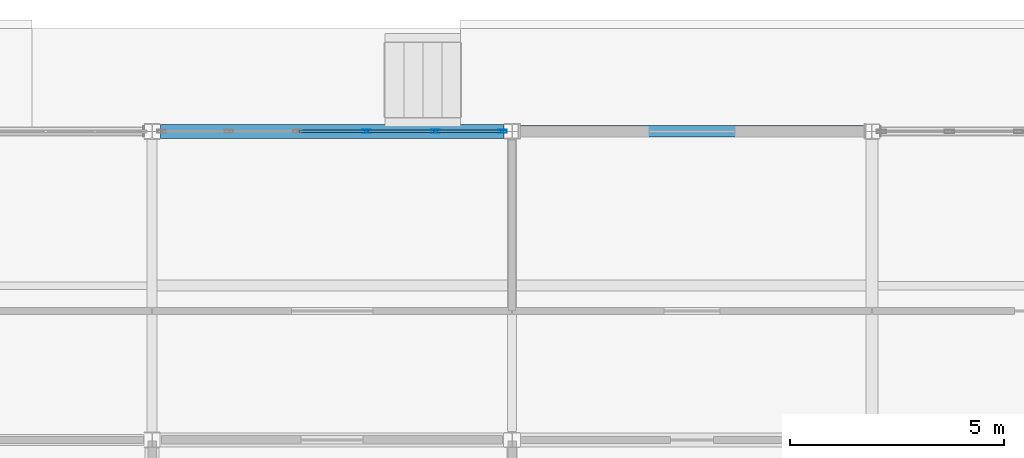
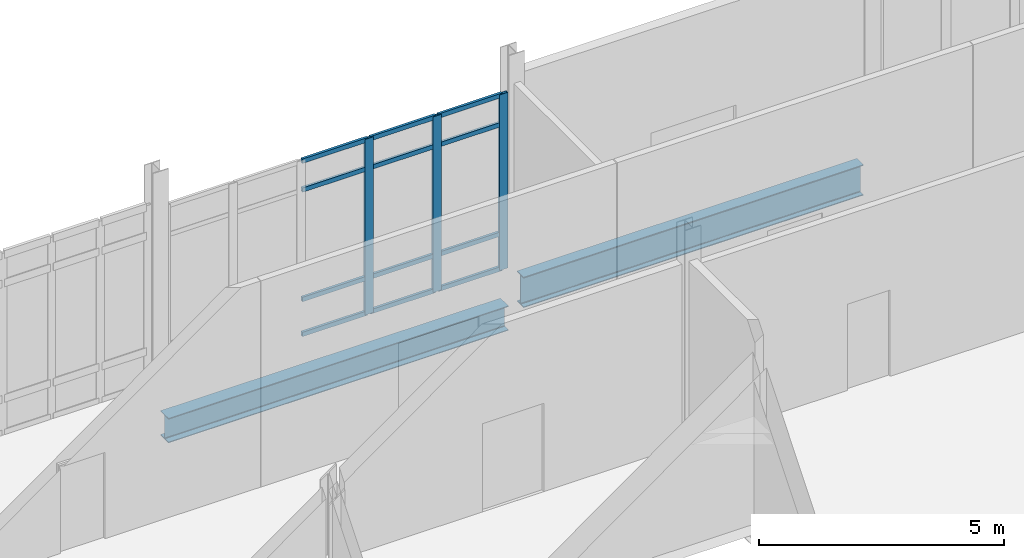
# One storey, part 97 of 229: 15 members, 2 beams, 1 element without a shape of its own.
"""IFC4 building model written with IfcOpenShell, lengths in metres."""

from ifc_helpers import new_model, si_unit, direction, frame, origin, origin_2d, place, context, subcontext, project, spatial, hollow_rectangle, i_section, extrude, material, layer, layer_set, material_profile, profile_set, type_object, element, aggregate, save


model = new_model("IFC4")

# Units and contexts
model_context = context("Model", 3, precision=1e-05, world=origin(), true_north=direction((0.0, 1.0)))
body_context = subcontext(model_context, "Body", "Model", "MODEL_VIEW")
ifc_project = project(units=[si_unit("LENGTHUNIT", "METRE"), si_unit("AREAUNIT", "SQUARE_METRE"), si_unit("VOLUMEUNIT", "CUBIC_METRE"), si_unit("PLANEANGLEUNIT", "RADIAN"), si_unit("MASSUNIT", "GRAM", prefix="KILO")], contexts=[model_context])

# Site, building, storey
site_placement = place(None, origin())
site = spatial("IfcSite", under=ifc_project, at=site_placement, CompositionType="ELEMENT")
building_placement = place(site_placement, origin())
building = spatial("IfcBuilding", under=site, at=building_placement, Name="Calvrana Isthmian Art Gallery", CompositionType="ELEMENT")
storey_placement = place(building_placement, origin())
storey = spatial("IfcBuildingStorey", under=building, at=storey_placement, Name="L00", CompositionType="ELEMENT", Elevation=0.0)

# Beams
ifc_material_1 = material(Name="Steel ASTM A992 Gr 50", Category="steel")
ifc_material_profile_1 = material_profile(ifc_material_1, i_section(OverallWidth=0.324951171875, OverallDepth=0.612060546875, WebThickness=0.0126953125, FlangeThickness=0.01904296875, FilletRadius=0.02197265625, at=origin_2d()), Name="W24X104")
ifc_profile_set_1 = profile_set([ifc_material_profile_1], Name="Steel ASTM A992 Gr 50")
beam_type_1 = type_object("IfcBeamType", Name="BM-G-W24X104", PredefinedType="BEAM", material=ifc_profile_set_1)
beam_1_placement = place(storey_placement, frame((46.9970703125, 112.800048828125, -1.156005859375), z_axis=(1.0, 0.0, 0.0), x_axis=(0.0, 1.0, 0.0)))
element("IfcBeam", 1, at=beam_1_placement, inside=storey, type_object=beam_type_1, Name="Girder X L00 07-08/P", PredefinedType="BEAM", context=body_context, shape_type="SweptSolid", body=[
    extrude(i_section(OverallWidth=0.324951171875, OverallDepth=0.612060546875, WebThickness=0.0126953125, FlangeThickness=0.01904296875, FilletRadius=0.02197265625, at=origin_2d()), origin(), (0.0, 0.0, 1.0), 8.016357421875),
])
ifc_material_profile_2 = material_profile(ifc_material_1, i_section(OverallWidth=0.26708984375, OverallDepth=0.761962890625, WebThickness=0.014404296875, FlangeThickness=0.021484375, FilletRadius=0.02490234375, at=origin_2d()), Name="W30X116")
ifc_profile_set_2 = profile_set([ifc_material_profile_2], Name="Steel ASTM A992 Gr 50")
beam_type_2 = type_object("IfcBeamType", Name="BM-G-W30X116", PredefinedType="BEAM", material=ifc_profile_set_2)
beam_2_placement = place(storey_placement, frame((55.386474609375, 112.800048828125, -0.666015625), z_axis=(1.0, 0.0, 0.0), x_axis=(0.0, 1.0, 0.0)))
element("IfcBeam", 2, at=beam_2_placement, inside=storey, type_object=beam_type_2, Name="Girder X L00 08-09/P", PredefinedType="BEAM", context=body_context, shape_type="SweptSolid", body=[
    extrude(i_section(OverallWidth=0.26708984375, OverallDepth=0.761962890625, WebThickness=0.014404296875, FlangeThickness=0.021484375, FilletRadius=0.02490234375, at=origin_2d()), origin(), (0.0, 0.0, 1.0), 8.013916015625),
])

# Curtain wall, members
ifc_material_2 = material(Name="Anodized bronze aluminium 6063-T6", Category="aluminium")
ifc_layer = layer(ifc_material_2, 0.179931640625, Name="Anodized bronze aluminium 6063-T6")
ifc_layer_set = layer_set([ifc_layer], Name="Anodized bronze aluminium 6063-T6")
curtain_wall_type = type_object("IfcCurtainWallType", Name="CW-UNIT-080X44", PredefinedType="USERDEFINED", material=ifc_layer_set)
curtain_wall_placement = place(storey_placement, origin())
curtain_wall = element("IfcCurtainWall", 3, at=curtain_wall_placement, inside=storey, type_object=curtain_wall_type, Name="Curtain wall CW-045", ObjectType="UNITISED CURTAIN WALL", PredefinedType="USERDEFINED")
ifc_material_profile_3 = material_profile(ifc_material_2, hollow_rectangle(XDim=0.070068359375, YDim=0.199951171875, WallThickness=0.0048828125, at=origin_2d()), Name="CWM70X200")
ifc_profile_set_3 = profile_set([ifc_material_profile_3], Name="Anodized bronze aluminium 6063-T6")
member_type_1 = type_object("IfcMemberType", Name="CWM-CWM70X200", PredefinedType="MULLION", material=ifc_profile_set_3)
member_1_placement = place(storey_placement, frame((51.80322265625, 112.800048828125, 0.0), z_axis=(0.0, 0.0, 1.0), x_axis=(0.0, 1.0, 0.0)))
member_1 = element("IfcMember", 4, at=member_1_placement, type_object=member_type_1, Name="CW-045 mullion 4", PredefinedType="MULLION", context=body_context, shape_type="SweptSolid", body=[
    extrude(hollow_rectangle(XDim=0.070068359375, YDim=0.199951171875, WallThickness=0.0048828125, at=origin_2d()), origin(), (0.0, 0.0, 1.0), 4.3779296875),
])
member_2_placement = place(storey_placement, frame((53.408935546875, 112.800048828125, 0.0), z_axis=(0.0, 0.0, 1.0), x_axis=(0.0, 1.0, 0.0)))
member_2 = element("IfcMember", 5, at=member_2_placement, type_object=member_type_1, Name="CW-045 mullion 5", PredefinedType="MULLION", context=body_context, shape_type="SweptSolid", body=[
    extrude(hollow_rectangle(XDim=0.070068359375, YDim=0.199951171875, WallThickness=0.0048828125, at=origin_2d()), origin(), (0.0, 0.0, 1.0), 4.3779296875),
])
member_3_placement = place(storey_placement, frame((54.9794921875, 112.800048828125, 0.0), z_axis=(0.0, 0.0, 1.0), x_axis=(0.0, 1.0, 0.0)))
member_3 = element("IfcMember", 6, at=member_3_placement, type_object=member_type_1, Name="CW-045 mullion 6", PredefinedType="MULLION", context=body_context, shape_type="SweptSolid", body=[
    extrude(hollow_rectangle(XDim=0.070068359375, YDim=0.199951171875, WallThickness=0.0048828125, at=origin_2d()), origin(), (0.0, 0.0, 1.0), 4.3779296875),
])
ifc_material_profile_4 = material_profile(ifc_material_2, hollow_rectangle(XDim=0.06005859375, YDim=0.110107421875, WallThickness=0.00341796875, at=origin_2d()), Name="CWT60X110")
ifc_profile_set_4 = profile_set([ifc_material_profile_4], Name="Anodized bronze aluminium 6063-T6")
member_type_2 = type_object("IfcMemberType", Name="CWT-CWT60X110", PredefinedType="USERDEFINED", material=ifc_profile_set_4)
member_4_placement = place(storey_placement, frame((50.232666015625, 112.800048828125, 0.030029296875), z_axis=(1.0, 0.0, 0.0), x_axis=(0.0, 1.0, 0.0)))
member_4 = element("IfcMember", 7, at=member_4_placement, type_object=member_type_2, Name="CW-045 transom 3.1", ObjectType="TRANSOM", PredefinedType="USERDEFINED", context=body_context, shape_type="SweptSolid", body=[
    extrude(hollow_rectangle(XDim=0.06005859375, YDim=0.110107421875, WallThickness=0.00341796875, at=origin_2d()), origin(), (0.0, 0.0, 1.0), 1.53564453125),
])
member_5_placement = place(storey_placement, frame((50.232666015625, 112.800048828125, 0.89990234375), z_axis=(1.0, 0.0, 0.0), x_axis=(0.0, 1.0, 0.0)))
member_5 = element("IfcMember", 8, at=member_5_placement, type_object=member_type_2, Name="CW-045 transom 3.2", ObjectType="TRANSOM", PredefinedType="USERDEFINED", context=body_context, shape_type="SweptSolid", body=[
    extrude(hollow_rectangle(XDim=0.06005859375, YDim=0.110107421875, WallThickness=0.00341796875, at=origin_2d()), origin(), (0.0, 0.0, 1.0), 1.53564453125),
])
member_6_placement = place(storey_placement, frame((50.232666015625, 112.800048828125, 3.6279296875), z_axis=(1.0, 0.0, 0.0), x_axis=(0.0, 1.0, 0.0)))
member_6 = element("IfcMember", 9, at=member_6_placement, type_object=member_type_2, Name="CW-045 transom 3.3", ObjectType="TRANSOM", PredefinedType="USERDEFINED", context=body_context, shape_type="SweptSolid", body=[
    extrude(hollow_rectangle(XDim=0.06005859375, YDim=0.110107421875, WallThickness=0.00341796875, at=origin_2d()), origin(), (0.0, 0.0, 1.0), 1.53564453125),
])
member_7_placement = place(storey_placement, frame((50.232666015625, 112.800048828125, 4.347900390625), z_axis=(1.0, 0.0, 0.0), x_axis=(0.0, 1.0, 0.0)))
member_7 = element("IfcMember", 10, at=member_7_placement, type_object=member_type_2, Name="CW-045 transom 3.4", ObjectType="TRANSOM", PredefinedType="USERDEFINED", context=body_context, shape_type="SweptSolid", body=[
    extrude(hollow_rectangle(XDim=0.06005859375, YDim=0.110107421875, WallThickness=0.00341796875, at=origin_2d()), origin(), (0.0, 0.0, 1.0), 1.53564453125),
])
member_8_placement = place(storey_placement, frame((51.83837890625, 112.800048828125, 0.030029296875), z_axis=(1.0, 0.0, 0.0), x_axis=(0.0, 1.0, 0.0)))
member_8 = element("IfcMember", 11, at=member_8_placement, type_object=member_type_2, Name="CW-045 transom 4.1", ObjectType="TRANSOM", PredefinedType="USERDEFINED", context=body_context, shape_type="SweptSolid", body=[
    extrude(hollow_rectangle(XDim=0.06005859375, YDim=0.110107421875, WallThickness=0.00341796875, at=origin_2d()), origin(), (0.0, 0.0, 1.0), 1.535400390625),
])
member_9_placement = place(storey_placement, frame((51.83837890625, 112.800048828125, 0.89990234375), z_axis=(1.0, 0.0, 0.0), x_axis=(0.0, 1.0, 0.0)))
member_9 = element("IfcMember", 12, at=member_9_placement, type_object=member_type_2, Name="CW-045 transom 4.2", ObjectType="TRANSOM", PredefinedType="USERDEFINED", context=body_context, shape_type="SweptSolid", body=[
    extrude(hollow_rectangle(XDim=0.06005859375, YDim=0.110107421875, WallThickness=0.00341796875, at=origin_2d()), origin(), (0.0, 0.0, 1.0), 1.535400390625),
])
member_10_placement = place(storey_placement, frame((51.83837890625, 112.800048828125, 3.6279296875), z_axis=(1.0, 0.0, 0.0), x_axis=(0.0, 1.0, 0.0)))
member_10 = element("IfcMember", 13, at=member_10_placement, type_object=member_type_2, Name="CW-045 transom 4.3", ObjectType="TRANSOM", PredefinedType="USERDEFINED", context=body_context, shape_type="SweptSolid", body=[
    extrude(hollow_rectangle(XDim=0.06005859375, YDim=0.110107421875, WallThickness=0.00341796875, at=origin_2d()), origin(), (0.0, 0.0, 1.0), 1.535400390625),
])
member_11_placement = place(storey_placement, frame((51.83837890625, 112.800048828125, 4.347900390625), z_axis=(1.0, 0.0, 0.0), x_axis=(0.0, 1.0, 0.0)))
member_11 = element("IfcMember", 14, at=member_11_placement, type_object=member_type_2, Name="CW-045 transom 4.4", ObjectType="TRANSOM", PredefinedType="USERDEFINED", context=body_context, shape_type="SweptSolid", body=[
    extrude(hollow_rectangle(XDim=0.06005859375, YDim=0.110107421875, WallThickness=0.00341796875, at=origin_2d()), origin(), (0.0, 0.0, 1.0), 1.535400390625),
])
member_12_placement = place(storey_placement, frame((53.44384765625, 112.800048828125, 0.030029296875), z_axis=(1.0, 0.0, 0.0), x_axis=(0.0, 1.0, 0.0)))
member_12 = element("IfcMember", 15, at=member_12_placement, type_object=member_type_2, Name="CW-045 transom 5.1", ObjectType="TRANSOM", PredefinedType="USERDEFINED", context=body_context, shape_type="SweptSolid", body=[
    extrude(hollow_rectangle(XDim=0.06005859375, YDim=0.110107421875, WallThickness=0.00341796875, at=origin_2d()), origin(), (0.0, 0.0, 1.0), 1.500732421875),
])
member_13_placement = place(storey_placement, frame((53.44384765625, 112.800048828125, 0.89990234375), z_axis=(1.0, 0.0, 0.0), x_axis=(0.0, 1.0, 0.0)))
member_13 = element("IfcMember", 16, at=member_13_placement, type_object=member_type_2, Name="CW-045 transom 5.2", ObjectType="TRANSOM", PredefinedType="USERDEFINED", context=body_context, shape_type="SweptSolid", body=[
    extrude(hollow_rectangle(XDim=0.06005859375, YDim=0.110107421875, WallThickness=0.00341796875, at=origin_2d()), origin(), (0.0, 0.0, 1.0), 1.500732421875),
])
member_14_placement = place(storey_placement, frame((53.44384765625, 112.800048828125, 3.6279296875), z_axis=(1.0, 0.0, 0.0), x_axis=(0.0, 1.0, 0.0)))
member_14 = element("IfcMember", 17, at=member_14_placement, type_object=member_type_2, Name="CW-045 transom 5.3", ObjectType="TRANSOM", PredefinedType="USERDEFINED", context=body_context, shape_type="SweptSolid", body=[
    extrude(hollow_rectangle(XDim=0.06005859375, YDim=0.110107421875, WallThickness=0.00341796875, at=origin_2d()), origin(), (0.0, 0.0, 1.0), 1.500732421875),
])
member_15_placement = place(storey_placement, frame((53.44384765625, 112.800048828125, 4.347900390625), z_axis=(1.0, 0.0, 0.0), x_axis=(0.0, 1.0, 0.0)))
member_15 = element("IfcMember", 18, at=member_15_placement, type_object=member_type_2, Name="CW-045 transom 5.4", ObjectType="TRANSOM", PredefinedType="USERDEFINED", context=body_context, shape_type="SweptSolid", body=[
    extrude(hollow_rectangle(XDim=0.06005859375, YDim=0.110107421875, WallThickness=0.00341796875, at=origin_2d()), origin(), (0.0, 0.0, 1.0), 1.500732421875),
])
aggregate(curtain_wall, [member_1, member_2, member_3, member_4, member_5, member_6, member_7, member_8, member_9, member_10, member_11, member_12, member_13, member_14, member_15])

save(model, "model.ifc")
